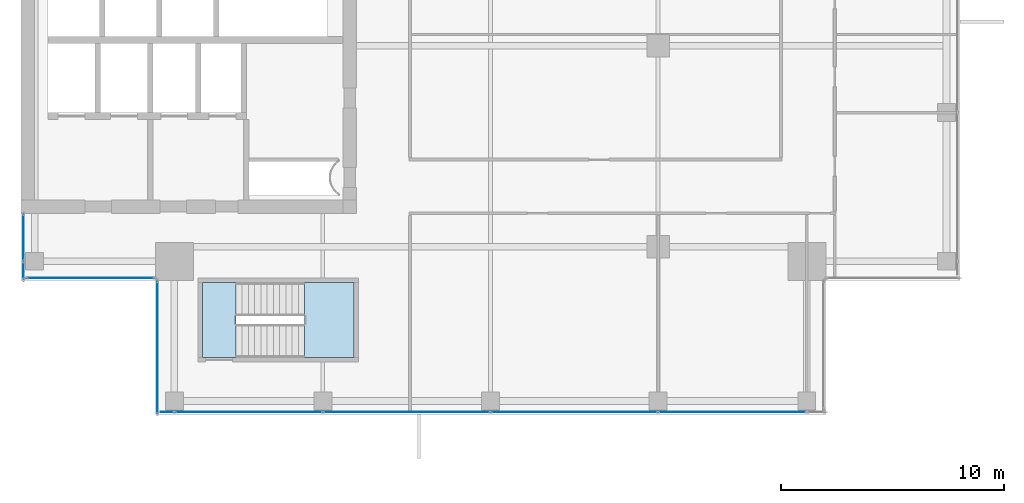
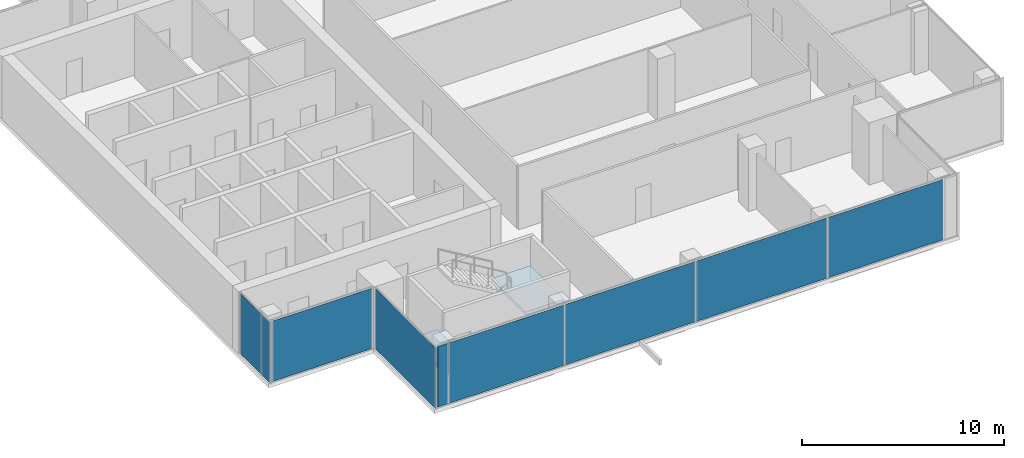
# One storey, part 18 of 28: 9 plates, 2 slabs, 5 elements without a shape of their own.
"""IFC4 building model written with IfcOpenShell, lengths in metres."""

from ifc_helpers import new_model, si_unit, direction, frame, origin, origin_2d, place, context, subcontext, project, spatial, polyline, rectangle, outline, extrude, source, transform, mapped, material, layer, layer_set, type_object, element, aggregate, save


model = new_model("IFC4")

# Units and contexts
model_context = context("Model", 3, precision=1e-05, world=origin(), true_north=direction((0.0, 1.0)))
body_context = subcontext(model_context, "Body", "Model", "MODEL_VIEW")
ifc_project = project(units=[si_unit("LENGTHUNIT", "METRE"), si_unit("AREAUNIT", "SQUARE_METRE"), si_unit("VOLUMEUNIT", "CUBIC_METRE"), si_unit("PLANEANGLEUNIT", "RADIAN"), si_unit("MASSUNIT", "GRAM", prefix="KILO")], contexts=[model_context])

# Site, building, storey
site_placement = place(None, origin())
site = spatial("IfcSite", under=ifc_project, at=site_placement, CompositionType="ELEMENT")
building_placement = place(site_placement, origin())
building = spatial("IfcBuilding", under=site, at=building_placement, Name="Khomas Fold Tower", CompositionType="ELEMENT")
storey_placement = place(building_placement, frame((0.0, 0.0, 302.199951171875)))
storey = spatial("IfcBuildingStorey", under=building, at=storey_placement, Name="L68", CompositionType="ELEMENT", Elevation=302.199951171875)

# Curtain wall, plates
ifc_material_1 = material(Name="Aluminium framed double glazing", Category="aluminium")
curtain_wall_type = type_object("IfcCurtainWallType", Name="SK-Unitised clear-glass wall, upper floors CW3", PredefinedType="NOTDEFINED", material=ifc_material_1)
curtain_wall_1_placement = place(storey_placement, origin())
curtain_wall_1 = element("IfcCurtainWall", 1, at=curtain_wall_1_placement, inside=storey, type_object=curtain_wall_type, Name="CW3 run L68 00-0", PredefinedType="NOTDEFINED")
ifc_material_2 = material(Name="Clear double glazed unit")
ifc_layer_1 = layer(ifc_material_2, 0.028076171875)
ifc_layer_set_1 = layer_set([ifc_layer_1], Name="Clear double glazed unit")
plate_type = type_object("IfcPlateType", Name="SK-Unitised clear-glass wall, upper floors glass panel CW3-P", PredefinedType="CURTAIN_PANEL", material=ifc_layer_set_1)
shared_shape_1 = source(origin(), body_context, "Body", "SweptSolid", [
    extrude(rectangle(XDim=0.574951171875, YDim=0.028076171875, at=origin_2d()), origin(), (0.0, 0.0, 1.0), 3.64990234375),
])
plate_1_placement = place(storey_placement, frame((12.53759765625, 6.10009765625, 0.0), z_axis=(0.0, 0.0, 1.0), x_axis=(1.0, 0.0, 0.0)))
plate_1 = element("IfcPlate", 2, at=plate_1_placement, type_object=plate_type, Name="CW3 glass panel 1", PredefinedType="CURTAIN_PANEL", context=body_context, shape_type="MappedRepresentation", body=[
    mapped(shared_shape_1, transform((0.0, 0.0, 0.0))),
])
shared_shape_2 = source(origin(), body_context, "Body", "SweptSolid", [
    extrude(rectangle(XDim=6.60009765625, YDim=0.028076171875, at=origin_2d()), origin(), (0.0, 0.0, 1.0), 3.64990234375),
])
plate_2_placement = place(storey_placement, frame((16.175048828125, 6.10009765625, 0.0), z_axis=(0.0, 0.0, 1.0), x_axis=(1.0, 0.0, 0.0)))
plate_2 = element("IfcPlate", 3, at=plate_2_placement, type_object=plate_type, Name="CW3 glass panel 2", PredefinedType="CURTAIN_PANEL", context=body_context, shape_type="MappedRepresentation", body=[
    mapped(shared_shape_2, transform((0.0, 0.0, 0.0))),
])
plate_3_placement = place(storey_placement, frame((37.824951171875, 6.10009765625, 0.0), z_axis=(0.0, 0.0, 1.0), x_axis=(1.0, 0.0, 0.0)))
plate_3 = element("IfcPlate", 4, at=plate_3_placement, type_object=plate_type, Name="CW3 glass panel 5", PredefinedType="CURTAIN_PANEL", context=body_context, shape_type="MappedRepresentation", body=[
    mapped(shared_shape_2, transform((0.0, 0.0, 0.0))),
])
shared_shape_3 = source(origin(), body_context, "Body", "SweptSolid", [
    extrude(rectangle(XDim=7.449951171875, YDim=0.028076171875, at=origin_2d()), origin(), (0.0, 0.0, 1.0), 3.64990234375),
])
plate_4_placement = place(storey_placement, frame((23.25, 6.10009765625, 0.0), z_axis=(0.0, 0.0, 1.0), x_axis=(1.0, 0.0, 0.0)))
plate_4 = element("IfcPlate", 5, at=plate_4_placement, type_object=plate_type, Name="CW3 glass panel 3", PredefinedType="CURTAIN_PANEL", context=body_context, shape_type="MappedRepresentation", body=[
    mapped(shared_shape_3, transform((0.0, 0.0, 0.0))),
])
plate_5_placement = place(storey_placement, frame((30.75, 6.10009765625, 0.0), z_axis=(0.0, 0.0, 1.0), x_axis=(1.0, 0.0, 0.0)))
plate_5 = element("IfcPlate", 6, at=plate_5_placement, type_object=plate_type, Name="CW3 glass panel 4", PredefinedType="CURTAIN_PANEL", context=body_context, shape_type="MappedRepresentation", body=[
    mapped(shared_shape_3, transform((0.0, 0.0, 0.0))),
])
aggregate(curtain_wall_1, [plate_1, plate_2, plate_4, plate_5, plate_3])

# Curtain wall, plate
curtain_wall_2_placement = place(storey_placement, origin())
curtain_wall_2 = element("IfcCurtainWall", 7, at=curtain_wall_2_placement, inside=storey, type_object=curtain_wall_type, Name="CW3 run L68 09-1", PredefinedType="NOTDEFINED")
shared_shape_4 = source(origin(), body_context, "Body", "SweptSolid", [
    extrude(rectangle(XDim=0.77490234375, YDim=0.028076171875, at=origin_2d()), origin(), (0.0, 0.0, 1.0), 3.64990234375),
])
plate_6_placement = place(storey_placement, frame((6.10009765625, 12.4375, 0.0), z_axis=(0.0, 0.0, 1.0), x_axis=(0.0, -1.0, 0.0)))
plate_6 = element("IfcPlate", 8, at=plate_6_placement, type_object=plate_type, Name="CW3 glass panel 2", PredefinedType="CURTAIN_PANEL", context=body_context, shape_type="MappedRepresentation", body=[
    mapped(shared_shape_4, transform((0.0, 0.0, 0.0))),
])

curtain_wall_3_placement = place(storey_placement, origin())
curtain_wall_3 = element("IfcCurtainWall", 9, at=curtain_wall_3_placement, inside=storey, type_object=curtain_wall_type, Name="CW3 corner return L68 10", PredefinedType="NOTDEFINED")
shared_shape_5 = source(origin(), body_context, "Body", "SweptSolid", [
    extrude(rectangle(XDim=5.699951171875, YDim=0.028076171875, at=origin_2d()), origin(), (0.0, 0.0, 1.0), 3.64990234375),
])
plate_7_placement = place(storey_placement, frame((9.10009765625, 12.10009765625, 0.0), z_axis=(0.0, 0.0, 1.0), x_axis=(1.0, 0.0, 0.0)))
plate_7 = element("IfcPlate", 10, at=plate_7_placement, type_object=plate_type, Name="CW3 glass panel 1", PredefinedType="CURTAIN_PANEL", context=body_context, shape_type="MappedRepresentation", body=[
    mapped(shared_shape_5, transform((0.0, 0.0, 0.0))),
])
aggregate(curtain_wall_3, [plate_7])

curtain_wall_4_placement = place(storey_placement, origin())
curtain_wall_4 = element("IfcCurtainWall", 11, at=curtain_wall_4_placement, inside=storey, type_object=curtain_wall_type, Name="CW3 corner return L68 11", PredefinedType="NOTDEFINED")
shared_shape_6 = source(origin(), body_context, "Body", "SweptSolid", [
    extrude(rectangle(XDim=5.89990234375, YDim=0.028076171875, at=origin_2d()), origin(), (0.0, 0.0, 1.0), 3.64990234375),
])
plate_8_placement = place(storey_placement, frame((12.10009765625, 9.0, 0.0), z_axis=(0.0, 0.0, 1.0), x_axis=(0.0, -1.0, 0.0)))
plate_8 = element("IfcPlate", 12, at=plate_8_placement, type_object=plate_type, Name="CW3 glass panel 1", PredefinedType="CURTAIN_PANEL", context=body_context, shape_type="MappedRepresentation", body=[
    mapped(shared_shape_6, transform((0.0, 0.0, 0.0))),
])
aggregate(curtain_wall_4, [plate_8])

# Plate
shared_shape_7 = source(origin(), body_context, "Body", "SweptSolid", [
    extrude(rectangle(XDim=2.074951171875, YDim=0.028076171875, at=origin_2d()), origin(), (0.0, 0.0, 1.0), 3.64990234375),
])
plate_9_placement = place(storey_placement, frame((6.10009765625, 13.91259765625, 0.0), z_axis=(0.0, 0.0, 1.0), x_axis=(0.0, -1.0, 0.0)))
plate_9 = element("IfcPlate", 13, at=plate_9_placement, type_object=plate_type, Name="CW3 glass panel 1", PredefinedType="CURTAIN_PANEL", context=body_context, shape_type="MappedRepresentation", body=[
    mapped(shared_shape_7, transform((0.0, 0.0, 0.0))),
])

aggregate(curtain_wall_2, [plate_9, plate_6])

# Stair, slab
ifc_material_3 = material(Name="Concrete C40/50", Category="concrete")
stair_type = type_object("IfcStairType", Name="Stair ST2", PredefinedType="HALF_TURN_STAIR", material=ifc_material_3)
stair_placement = place(storey_placement, origin())
stair = element("IfcStair", 14, at=stair_placement, inside=storey, type_object=stair_type, Name="L68 ST2", PredefinedType="HALF_TURN_STAIR")
ifc_material_4 = material(Name="Concrete C40/50", Category="concrete")
ifc_layer_2 = layer(ifc_material_4, 0.199951171875)
ifc_layer_set_2 = layer_set([ifc_layer_2], Name="Concrete C40/50")
slab_type_1 = type_object("IfcSlabType", Name="Stair landing 200", PredefinedType="LANDING", material=ifc_layer_set_2)
shared_shape_8 = source(origin(), body_context, "Body", "SweptSolid", [
    extrude(outline(polyline([(18.679931640625, 8.550048828125), (20.89990234375, 8.550048828125), (20.89990234375, 11.89990234375), (18.679931640625, 11.89990234375), (18.679931640625, 8.550048828125)])), origin(), (0.0, 0.0, 1.0), 0.199951171875),
])
slab_1_placement = place(storey_placement, frame((0.0, 0.0, 1.800048828125)))
slab_1 = element("IfcSlab", 15, at=slab_1_placement, type_object=slab_type_1, Name="ST2 landing 1", PredefinedType="LANDING", context=body_context, shape_type="MappedRepresentation", body=[
    mapped(shared_shape_8, transform((0.0, 0.0, 0.0))),
])
aggregate(stair, [slab_1])

# Slab
ifc_material_5 = material(Name="Concrete C40/50", Category="concrete")
ifc_layer_3 = layer(ifc_material_5, 0.25)
ifc_layer_set_3 = layer_set([ifc_layer_3], Name="Concrete C40/50")
slab_type_2 = type_object("IfcSlabType", Name="Stair floor landing 250", PredefinedType="LANDING", material=ifc_layer_set_3)
shared_shape_9 = source(origin(), body_context, "Body", "SweptSolid", [
    extrude(outline(polyline([(15.60009765625, 8.550048828125), (14.10009765625, 8.550048828125), (14.10009765625, 11.89990234375), (15.60009765625, 11.89990234375), (15.60009765625, 8.550048828125)])), origin(), (0.0, 0.0, 1.0), 0.25),
])
slab_2_placement = place(storey_placement, frame((0.0, 0.0, -0.25)))
element("IfcSlab", 16, at=slab_2_placement, inside=storey, type_object=slab_type_2, Name="ST2 floor landing", PredefinedType="LANDING", context=body_context, shape_type="MappedRepresentation", body=[
    mapped(shared_shape_9, transform((0.0, 0.0, 0.0))),
])

save(model, "model.ifc")
